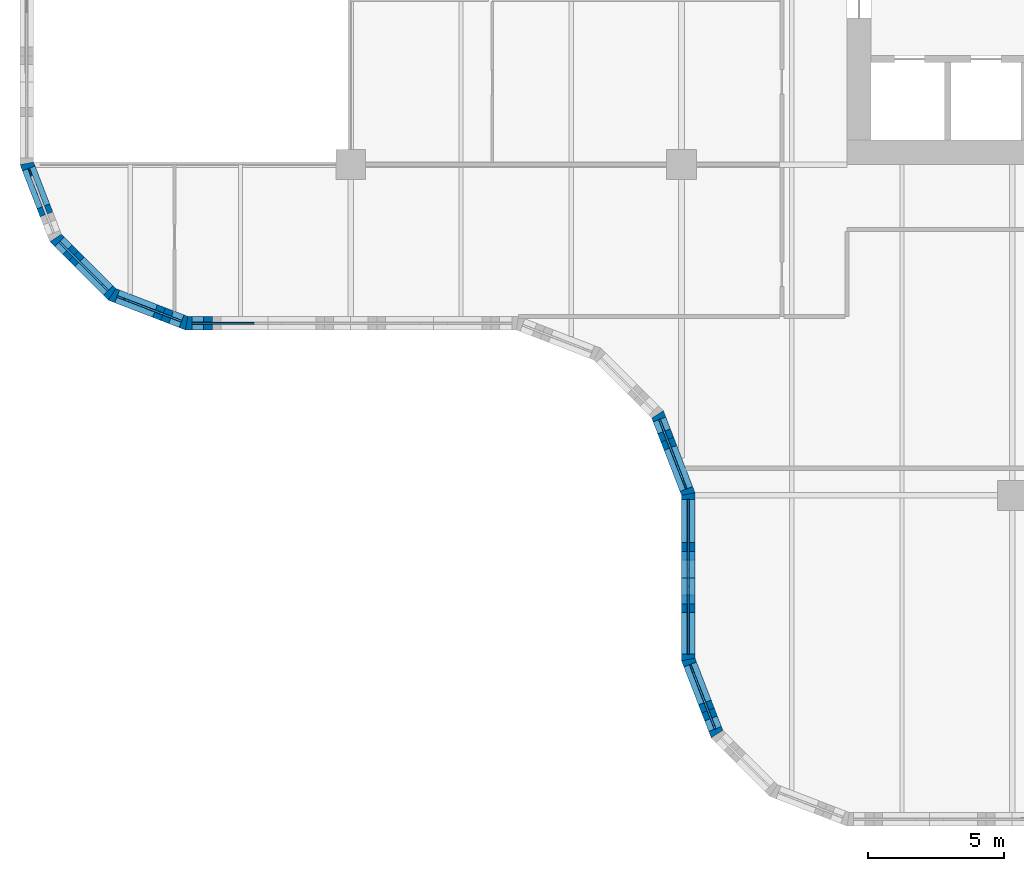
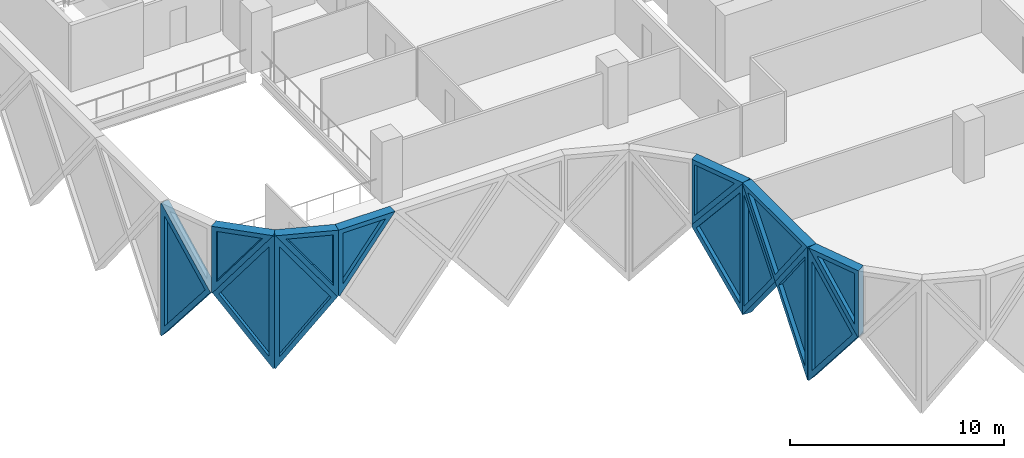
# One storey, part 4 of 24: 13 plates, 13 walls, 13 openings.
"""IFC4 building model written with IfcOpenShell, lengths in metres."""

from ifc_helpers import new_model, si_unit, direction, frame, origin, place, context, subcontext, project, spatial, polyline, outline, extrude, faceted_brep, source, transform, mapped, material, layer, layer_set, type_object, element, fill, save


model = new_model("IFC4")

# Units and contexts
model_context = context("Model", 3, precision=1e-05, world=origin(), true_north=direction((0.0, 1.0)))
body_context = subcontext(model_context, "Body", "Model", "MODEL_VIEW")
ifc_project = project(units=[si_unit("LENGTHUNIT", "METRE"), si_unit("AREAUNIT", "SQUARE_METRE"), si_unit("VOLUMEUNIT", "CUBIC_METRE"), si_unit("PLANEANGLEUNIT", "RADIAN"), si_unit("MASSUNIT", "GRAM", prefix="KILO")], contexts=[model_context])

# Site, building, storey
site_placement = place(None, origin())
site = spatial("IfcSite", under=ifc_project, at=site_placement, CompositionType="ELEMENT")
building_placement = place(site_placement, origin())
building = spatial("IfcBuilding", under=site, at=building_placement, Name="Tessera Gate Towers", CompositionType="ELEMENT")
storey_placement = place(building_placement, frame((0.0, 0.0, 60.0)))
storey = spatial("IfcBuildingStorey", under=building, at=storey_placement, Name="L14", CompositionType="ELEMENT", Elevation=60.0)

# Wall, opening, plate
ifc_material_1 = material(Name="Precast concrete C60/75 white", Category="concrete")
ifc_layer_1 = layer(ifc_material_1, 0.5)
ifc_layer_set_1 = layer_set([ifc_layer_1], Name="TS3 corner tessera")
wall_type_1 = type_object("IfcWallType", Name="TS3 corner tessera", PredefinedType="SOLIDWALL", material=ifc_layer_set_1)
shared_shape_1 = source(origin(), body_context, "Body", "Brep", [
    faceted_brep([(3.00341796875, -0.25, 0.0), (3.050048828125, -0.25, 0.06005859375), (3.050048828125, -0.25, 7.5400390625), (3.00341796875, -0.25, 7.60009765625), (0.0, -0.25, 3.800048828125), (0.0, 0.25, 3.800048828125), (2.956787109375, 0.25, 7.541259765625), (2.956787109375, 0.25, 0.058837890625), (3.00341796875, 0.000244140625, 0.0), (3.00341796875, 0.000244140625, 7.60009765625)], [[[0, 1, 2, 3, 4]], [[5, 6, 7]], [[1, 0, 8]], [[9, 3, 2]], [[6, 5, 4, 3, 9]], [[5, 7, 8, 0, 4]], [[1, 8, 7, 6, 9, 2]]]),
])
wall_1_placement = place(storey_placement, frame((24.64990234375, 9.14990234375, -3.800048828125), z_axis=(0.0, 0.0, 1.0), x_axis=(0.0, -1.0, 0.0)))
wall_1 = element("IfcWall", 1, at=wall_1_placement, inside=storey, type_object=wall_type_1, Name="Precast corner tessera T1 TS3-0309", PredefinedType="SOLIDWALL", context=body_context, shape_type="MappedRepresentation", body=[
    mapped(shared_shape_1, transform((0.0, 0.0, 0.0), scale=1.0)),
])
shared_shape_2 = source(origin(), body_context, "Body", "SweptSolid", [
    extrude(outline(polyline([(2.803466796875, 6.94384765625), (0.318603515625, 3.800048828125), (2.803466796875, 0.65625), (2.803466796875, 6.94384765625)])), frame((0.0, 0.260009765625, 0.0), z_axis=(0.0, -1.0, 0.0), x_axis=(1.0, 0.0, 0.0)), (0.0, 0.0, 1.0), 0.52001953125),
])
opening_1_placement = place(wall_1_placement, origin())
opening_1 = element("IfcOpeningElement", 2, at=opening_1_placement, cuts=wall_1, Name="Opening T1-PL2-0466", PredefinedType="OPENING", context=body_context, shape_type="MappedRepresentation", body=[
    mapped(shared_shape_2, transform((0.0, 0.0, 0.0), scale=1.0)),
])
ifc_material_2 = material(Name="Low-e laminated glass", Category="glass")
ifc_layer_2 = layer(ifc_material_2, 0.06005859375)
ifc_layer_set_2 = layer_set([ifc_layer_2], Name="PL2 rhombic pane")
plate_type_1 = type_object("IfcPlateType", Name="PL2 rhombic pane", PredefinedType="SHEET", material=ifc_layer_set_2)
shared_shape_3 = source(origin(), body_context, "Body", "SweptSolid", [
    extrude(outline(polyline([(2.803466796875, 6.94384765625), (0.318603515625, 3.800048828125), (2.803466796875, 0.65625), (2.803466796875, 6.94384765625)])), frame((0.0, 0.030029296875, 0.0), z_axis=(0.0, -1.0, 0.0), x_axis=(1.0, 0.0, 0.0)), (0.0, 0.0, 1.0), 0.06005859375),
])
plate_1_placement = place(opening_1_placement, origin())
plate_1 = element("IfcPlate", 3, at=plate_1_placement, inside=storey, type_object=plate_type_1, Name="Glass pane T1 PL2-0466", PredefinedType="SHEET", context=body_context, shape_type="MappedRepresentation", body=[
    mapped(shared_shape_3, transform((0.0, 0.0, 0.0), scale=1.0)),
])
fill(opening_1, plate_1)

shared_shape_4 = source(origin(), body_context, "Body", "Brep", [
    faceted_brep([(0.046630859375, -0.25, 0.0), (2.9970703125, -0.25, 3.800048828125), (0.046630859375, -0.25, 7.60009765625), (0.0, -0.25, 7.541259765625), (0.0, -0.25, 0.058837890625), (0.09326171875, 0.25, 7.5400390625), (2.9443359375, 0.25, 3.8681640625), (2.9443359375, 0.25, 3.73193359375), (0.09326171875, 0.25, 0.06005859375), (2.9970703125, 0.00048828125, 3.800048828125), (0.046630859375, 0.0, 0.0), (0.046630859375, 0.0, 7.60009765625)], [[[0, 1, 2, 3, 4]], [[5, 6, 7, 8]], [[8, 7, 9, 1, 0, 10]], [[6, 5, 11, 2, 1, 9]], [[3, 2, 11]], [[10, 0, 4]], [[8, 10, 4, 3, 11, 5]], [[9, 7, 6]]]),
])
wall_2_placement = place(storey_placement, frame((0.233154296875, 24.489990234375, -3.800048828125), z_axis=(0.0, 0.0, 1.0), x_axis=(0.359901446078, -0.932990326376, 0.0)))
wall_2 = element("IfcWall", 4, at=wall_2_placement, inside=storey, type_object=wall_type_1, Name="Precast corner tessera T1 TS3-0302", PredefinedType="SOLIDWALL", context=body_context, shape_type="MappedRepresentation", body=[
    mapped(shared_shape_4, transform((0.0, 0.0, 0.0), scale=1.0)),
])
shared_shape_5 = source(origin(), body_context, "Body", "SweptSolid", [
    extrude(outline(polyline([(0.24658203125, 0.665283203125), (2.6806640625, 3.800048828125), (0.24658203125, 6.934814453125), (0.24658203125, 0.665283203125)])), frame((0.0, 0.260009765625, 0.0), z_axis=(0.0, -1.0, 0.0), x_axis=(1.0, 0.0, 0.0)), (0.0, 0.0, 1.0), 0.52001953125),
])
opening_2_placement = place(wall_2_placement, origin())
opening_2 = element("IfcOpeningElement", 5, at=opening_2_placement, cuts=wall_2, Name="Opening T1-PL2-0457", PredefinedType="OPENING", context=body_context, shape_type="MappedRepresentation", body=[
    mapped(shared_shape_5, transform((0.0, 0.0, 0.0), scale=1.0)),
])
shared_shape_6 = source(origin(), body_context, "Body", "SweptSolid", [
    extrude(outline(polyline([(0.24658203125, 0.665283203125), (2.6806640625, 3.800048828125), (0.24658203125, 6.934814453125), (0.24658203125, 0.665283203125)])), frame((0.0, 0.030029296875, 0.0), z_axis=(0.0, -1.0, 0.0), x_axis=(1.0, 0.0, 0.0)), (0.0, 0.0, 1.0), 0.06005859375),
])
plate_2_placement = place(opening_2_placement, origin())
plate_2 = element("IfcPlate", 6, at=plate_2_placement, inside=storey, type_object=plate_type_1, Name="Glass pane T1 PL2-0457", PredefinedType="SHEET", context=body_context, shape_type="MappedRepresentation", body=[
    mapped(shared_shape_6, transform((0.0, 0.0, 0.0), scale=1.0)),
])
fill(opening_2, plate_2)

wall_3_placement = place(storey_placement, frame((24.63330078125, 6.18994140625, -3.800048828125), z_axis=(0.0, 0.0, 1.0), x_axis=(0.359901446078, -0.932990326376, 0.0)))
wall_3 = element("IfcWall", 7, at=wall_3_placement, inside=storey, type_object=wall_type_1, Name="Precast corner tessera T1 TS3-0310", PredefinedType="SOLIDWALL", context=body_context, shape_type="MappedRepresentation", body=[
    mapped(shared_shape_4, transform((0.0, 0.0, 0.0), scale=1.0)),
])
opening_3_placement = place(wall_3_placement, origin())
opening_3 = element("IfcOpeningElement", 8, at=opening_3_placement, cuts=wall_3, Name="Opening T1-PL2-0467", PredefinedType="OPENING", context=body_context, shape_type="MappedRepresentation", body=[
    mapped(shared_shape_5, transform((0.0, 0.0, 0.0), scale=1.0)),
])
plate_3_placement = place(opening_3_placement, origin())
plate_3 = element("IfcPlate", 9, at=plate_3_placement, inside=storey, type_object=plate_type_1, Name="Glass pane T1 PL2-0467", PredefinedType="SHEET", context=body_context, shape_type="MappedRepresentation", body=[
    mapped(shared_shape_6, transform((0.0, 0.0, 0.0), scale=1.0)),
])
fill(opening_3, plate_3)

shared_shape_7 = source(origin(), body_context, "Body", "Brep", [
    faceted_brep([(0.052978515625, -0.25, 0.0), (3.00341796875, -0.25, 3.800048828125), (0.052978515625, -0.25, 7.60009765625), (0.0, -0.25, 7.53173828125), (0.0, -0.25, 0.068359375), (0.10595703125, 0.25, 7.531982421875), (2.95703125, 0.25, 3.85986328125), (2.95703125, 0.25, 3.740234375), (0.10595703125, 0.25, 0.068115234375), (3.00341796875, 0.00048828125, 3.800048828125), (0.052978515625, 0.0, 0.0), (0.052978515625, 0.0, 7.60009765625)], [[[0, 1, 2, 3, 4]], [[5, 6, 7, 8]], [[8, 7, 9, 1, 0, 10]], [[6, 5, 11, 2, 1, 9]], [[3, 2, 11]], [[10, 0, 4]], [[8, 10, 4, 3, 11, 5]], [[9, 7, 6]]]),
])
wall_4_placement = place(storey_placement, frame((3.34423828125, 19.630859375, -3.800048828125), z_axis=(0.0, 0.0, 1.0), x_axis=(0.933007896601, -0.359855894603, 0.0)))
wall_4 = element("IfcWall", 10, at=wall_4_placement, inside=storey, type_object=wall_type_1, Name="Precast corner tessera T1 TS3-0304", PredefinedType="SOLIDWALL", context=body_context, shape_type="MappedRepresentation", body=[
    mapped(shared_shape_7, transform((0.0, 0.0, 0.0), scale=1.0)),
])
shared_shape_8 = source(origin(), body_context, "Body", "SweptSolid", [
    extrude(outline(polyline([(0.2529296875, 0.665283203125), (2.68701171875, 3.800048828125), (0.2529296875, 6.934814453125), (0.2529296875, 0.665283203125)])), frame((0.0, 0.260009765625, 0.0), z_axis=(0.0, -1.0, 0.0), x_axis=(1.0, 0.0, 0.0)), (0.0, 0.0, 1.0), 0.52001953125),
])
opening_4_placement = place(wall_4_placement, origin())
opening_4 = element("IfcOpeningElement", 11, at=opening_4_placement, cuts=wall_4, Name="Opening T1-PL2-0459", PredefinedType="OPENING", context=body_context, shape_type="MappedRepresentation", body=[
    mapped(shared_shape_8, transform((0.0, 0.0, 0.0), scale=1.0)),
])
shared_shape_9 = source(origin(), body_context, "Body", "SweptSolid", [
    extrude(outline(polyline([(0.2529296875, 0.665283203125), (2.68701171875, 3.800048828125), (0.2529296875, 6.934814453125), (0.2529296875, 0.665283203125)])), frame((0.0, 0.030029296875, 0.0), z_axis=(0.0, -1.0, 0.0), x_axis=(1.0, 0.0, 0.0)), (0.0, 0.0, 1.0), 0.06005859375),
])
plate_4_placement = place(opening_4_placement, origin())
plate_4 = element("IfcPlate", 12, at=plate_4_placement, inside=storey, type_object=plate_type_1, Name="Glass pane T1 PL2-0459", PredefinedType="SHEET", context=body_context, shape_type="MappedRepresentation", body=[
    mapped(shared_shape_9, transform((0.0, 0.0, 0.0), scale=1.0)),
])
fill(opening_4, plate_4)

shared_shape_10 = source(origin(), body_context, "Body", "Brep", [
    faceted_brep([(2.944091796875, -0.25, 0.0), (2.9970703125, -0.25, 0.068115234375), (2.9970703125, -0.25, 7.531982421875), (2.944091796875, -0.25, 7.60009765625), (0.0, -0.25, 3.800048828125), (0.052978515625, 0.25, 3.868408203125), (2.89111328125, 0.25, 7.531982421875), (2.89111328125, 0.25, 0.068115234375), (0.052978515625, 0.25, 3.731689453125), (2.944091796875, 0.000244140625, 0.0), (2.944091796875, 0.000244140625, 7.60009765625), (0.0, 0.0, 3.800048828125)], [[[0, 1, 2, 3, 4]], [[5, 6, 7, 8]], [[1, 0, 9]], [[10, 3, 2]], [[6, 5, 11, 4, 3, 10]], [[8, 7, 9, 0, 4, 11]], [[8, 11, 5]], [[1, 9, 7, 6, 10, 2]]]),
])
wall_5_placement = place(storey_placement, frame((1.31201171875, 21.69384765625, -3.800048828125), z_axis=(0.0, 0.0, 1.0), x_axis=(0.707066050402, -0.707147509625, 0.0)))
wall_5 = element("IfcWall", 13, at=wall_5_placement, inside=storey, type_object=wall_type_1, Name="Precast corner tessera T1 TS3-0303", PredefinedType="SOLIDWALL", context=body_context, shape_type="MappedRepresentation", body=[
    mapped(shared_shape_10, transform((0.0, 0.0, 0.0), scale=1.0)),
])
shared_shape_11 = source(origin(), body_context, "Body", "SweptSolid", [
    extrude(outline(polyline([(2.744140625, 6.933837890625), (0.316162109375, 3.800048828125), (2.744140625, 0.666259765625), (2.744140625, 6.933837890625)])), frame((0.0, 0.260009765625, 0.0), z_axis=(0.0, -1.0, 0.0), x_axis=(1.0, 0.0, 0.0)), (0.0, 0.0, 1.0), 0.52001953125),
])
opening_5_placement = place(wall_5_placement, origin())
opening_5 = element("IfcOpeningElement", 14, at=opening_5_placement, cuts=wall_5, Name="Opening T1-PL2-0458", PredefinedType="OPENING", context=body_context, shape_type="MappedRepresentation", body=[
    mapped(shared_shape_11, transform((0.0, 0.0, 0.0), scale=1.0)),
])
shared_shape_12 = source(origin(), body_context, "Body", "SweptSolid", [
    extrude(outline(polyline([(2.744140625, 6.933837890625), (0.316162109375, 3.800048828125), (2.744140625, 0.666259765625), (2.744140625, 6.933837890625)])), frame((0.0, 0.030029296875, 0.0), z_axis=(0.0, -1.0, 0.0), x_axis=(1.0, 0.0, 0.0)), (0.0, 0.0, 1.0), 0.06005859375),
])
plate_5_placement = place(opening_5_placement, origin())
plate_5 = element("IfcPlate", 15, at=plate_5_placement, inside=storey, type_object=plate_type_1, Name="Glass pane T1 PL2-0458", PredefinedType="SHEET", context=body_context, shape_type="MappedRepresentation", body=[
    mapped(shared_shape_12, transform((0.0, 0.0, 0.0), scale=1.0)),
])
fill(opening_5, plate_5)

shared_shape_13 = source(origin(), body_context, "Body", "Brep", [
    faceted_brep([(3.10302734375, -0.25, 7.5439453125), (0.052978515625, -0.25, 3.864013671875), (0.052978515625, -0.25, 3.736083984375), (3.10302734375, -0.25, 0.05615234375), (0.0, 0.25, 3.800048828125), (3.1494140625, 0.25, 7.60009765625), (3.196044921875, 0.25, 7.54296875), (3.196044921875, 0.25, 0.05712890625), (3.1494140625, 0.25, 0.0), (3.1494140625, -0.000244140625, 0.0), (3.1494140625, -0.000244140625, 7.60009765625), (0.0, 0.0, 3.800048828125)], [[[0, 1, 2, 3]], [[4, 5, 6, 7, 8]], [[8, 7, 9]], [[6, 5, 10]], [[5, 4, 11, 1, 0, 10]], [[4, 8, 9, 3, 2, 11]], [[11, 2, 1]], [[3, 9, 7, 6, 10, 0]]]),
])
wall_6_placement = place(storey_placement, frame((23.5166015625, 15.18505859375, -3.800048828125), z_axis=(0.0, 0.0, 1.0), x_axis=(0.359864468756, -0.933004589553, 0.0)))
wall_6 = element("IfcWall", 16, at=wall_6_placement, inside=storey, type_object=wall_type_1, Name="Precast corner tessera T1 TS3-0307", PredefinedType="SOLIDWALL", context=body_context, shape_type="MappedRepresentation", body=[
    mapped(shared_shape_13, transform((0.0, 0.0, 0.0), scale=1.0)),
])
shared_shape_14 = source(origin(), body_context, "Body", "SweptSolid", [
    extrude(outline(polyline([(2.949462890625, 6.967041015625), (0.32470703125, 3.800048828125), (2.949462890625, 0.633056640625), (2.949462890625, 6.967041015625)])), frame((0.0, 0.260009765625, 0.0), z_axis=(0.0, -1.0, 0.0), x_axis=(1.0, 0.0, 0.0)), (0.0, 0.0, 1.0), 0.52001953125),
])
opening_6_placement = place(wall_6_placement, origin())
opening_6 = element("IfcOpeningElement", 17, at=opening_6_placement, cuts=wall_6, Name="Opening T1-PL2-0464", PredefinedType="OPENING", context=body_context, shape_type="MappedRepresentation", body=[
    mapped(shared_shape_14, transform((0.0, 0.0, 0.0), scale=1.0)),
])
shared_shape_15 = source(origin(), body_context, "Body", "SweptSolid", [
    extrude(outline(polyline([(2.949462890625, 6.967041015625), (0.32470703125, 3.800048828125), (2.949462890625, 0.633056640625), (2.949462890625, 6.967041015625)])), frame((0.0, 0.030029296875, 0.0), z_axis=(0.0, -1.0, 0.0), x_axis=(1.0, 0.0, 0.0)), (0.0, 0.0, 1.0), 0.06005859375),
])
plate_6_placement = place(opening_6_placement, origin())
plate_6 = element("IfcPlate", 18, at=plate_6_placement, inside=storey, type_object=plate_type_1, Name="Glass pane T1 PL2-0464", PredefinedType="SHEET", context=body_context, shape_type="MappedRepresentation", body=[
    mapped(shared_shape_15, transform((0.0, 0.0, 0.0), scale=1.0)),
])
fill(opening_6, plate_6)

shared_shape_16 = source(origin(), body_context, "Body", "Brep", [
    faceted_brep([(0.09326171875, -0.25, 0.05712890625), (3.14306640625, -0.25, 3.800048828125), (0.09326171875, -0.25, 7.54296875), (0.0, 0.25, 7.5439453125), (0.046630859375, 0.25, 7.60009765625), (3.14306640625, 0.25, 3.800048828125), (0.046630859375, 0.25, 0.0), (0.0, 0.25, 0.05615234375), (0.046630859375, 0.0, 0.0), (0.046630859375, 0.0, 7.60009765625)], [[[0, 1, 2]], [[3, 4, 5, 6, 7]], [[6, 5, 1, 0, 8]], [[5, 4, 9, 2, 1]], [[4, 3, 9]], [[7, 6, 8]], [[7, 8, 0, 2, 9, 3]]]),
])
wall_7_placement = place(storey_placement, frame((24.64990234375, 12.293212890625, -3.800048828125), z_axis=(0.0, 0.0, 1.0), x_axis=(0.0, -1.0, 0.0)))
wall_7 = element("IfcWall", 19, at=wall_7_placement, inside=storey, type_object=wall_type_1, Name="Precast corner tessera T1 TS3-0308", PredefinedType="SOLIDWALL", context=body_context, shape_type="MappedRepresentation", body=[
    mapped(shared_shape_16, transform((0.0, 0.0, 0.0), scale=1.0)),
])
shared_shape_17 = source(origin(), body_context, "Body", "SweptSolid", [
    extrude(outline(polyline([(0.24658203125, 0.641357421875), (2.82080078125, 3.800048828125), (0.24658203125, 6.958740234375), (0.24658203125, 0.641357421875)])), frame((0.0, 0.260009765625, 0.0), z_axis=(0.0, -1.0, 0.0), x_axis=(1.0, 0.0, 0.0)), (0.0, 0.0, 1.0), 0.52001953125),
])
opening_7_placement = place(wall_7_placement, origin())
opening_7 = element("IfcOpeningElement", 20, at=opening_7_placement, cuts=wall_7, Name="Opening T1-PL2-0465", PredefinedType="OPENING", context=body_context, shape_type="MappedRepresentation", body=[
    mapped(shared_shape_17, transform((0.0, 0.0, 0.0), scale=1.0)),
])
shared_shape_18 = source(origin(), body_context, "Body", "SweptSolid", [
    extrude(outline(polyline([(0.24658203125, 0.641357421875), (2.82080078125, 3.800048828125), (0.24658203125, 6.958740234375), (0.24658203125, 0.641357421875)])), frame((0.0, 0.030029296875, 0.0), z_axis=(0.0, -1.0, 0.0), x_axis=(1.0, 0.0, 0.0)), (0.0, 0.0, 1.0), 0.06005859375),
])
plate_7_placement = place(opening_7_placement, origin())
plate_7 = element("IfcPlate", 21, at=plate_7_placement, inside=storey, type_object=plate_type_1, Name="Glass pane T1 PL2-0465", PredefinedType="SHEET", context=body_context, shape_type="MappedRepresentation", body=[
    mapped(shared_shape_18, transform((0.0, 0.0, 0.0), scale=1.0)),
])
fill(opening_7, plate_7)

shared_shape_19 = source(origin(), body_context, "Body", "Brep", [
    faceted_brep([(0.046630859375, -0.25, 0.0), (3.050048828125, -0.25, 3.800048828125), (0.0, -0.25, 3.800048828125), (0.0, -0.25, 0.06005859375), (0.09326171875, 0.25, 3.800048828125), (3.050048828125, 0.25, 3.800048828125), (0.09326171875, 0.25, 0.058837890625), (0.046630859375, 0.0, 0.0)], [[[0, 1, 2, 3]], [[4, 5, 6]], [[6, 5, 1, 0, 7]], [[5, 4, 2, 1]], [[7, 0, 3]], [[6, 7, 3, 2, 4]]]),
])
wall_8_placement = place(storey_placement, frame((6.099853515625, 18.550048828125, 0.0), z_axis=(0.0, 0.0, 1.0), x_axis=(1.0, 0.0, 0.0)))
wall_8 = element("IfcWall", 22, at=wall_8_placement, inside=storey, type_object=wall_type_1, Name="Precast corner tessera T1 TS3-0330", PredefinedType="SOLIDWALL", context=body_context, shape_type="MappedRepresentation", body=[
    mapped(shared_shape_19, transform((0.0, 0.0, 0.0), scale=1.0)),
])
shared_shape_20 = source(origin(), body_context, "Body", "SweptSolid", [
    extrude(outline(polyline([(0.24658203125, 0.65625), (2.533935546875, 3.550048828125), (0.24658203125, 3.550048828125), (0.24658203125, 0.65625)])), frame((0.0, 0.260009765625, 0.0), z_axis=(0.0, -1.0, 0.0), x_axis=(1.0, 0.0, 0.0)), (0.0, 0.0, 1.0), 0.52001953125),
])
opening_8_placement = place(wall_8_placement, origin())
opening_8 = element("IfcOpeningElement", 23, at=opening_8_placement, cuts=wall_8, Name="Opening T1-PL1-0179", PredefinedType="OPENING", context=body_context, shape_type="MappedRepresentation", body=[
    mapped(shared_shape_20, transform((0.0, 0.0, 0.0), scale=1.0)),
])
ifc_material_3 = material(Name="Low-e laminated glass", Category="glass")
ifc_layer_3 = layer(ifc_material_3, 0.06005859375)
ifc_layer_set_3 = layer_set([ifc_layer_3], Name="PL1 triangular pane")
plate_type_2 = type_object("IfcPlateType", Name="PL1 triangular pane", PredefinedType="SHEET", material=ifc_layer_set_3)
shared_shape_21 = source(origin(), body_context, "Body", "SweptSolid", [
    extrude(outline(polyline([(0.24658203125, 0.65625), (2.533935546875, 3.550048828125), (0.24658203125, 3.550048828125), (0.24658203125, 0.65625)])), frame((0.0, 0.030029296875, 0.0), z_axis=(0.0, -1.0, 0.0), x_axis=(1.0, 0.0, 0.0)), (0.0, 0.0, 1.0), 0.06005859375),
])
plate_8_placement = place(opening_8_placement, origin())
plate_8 = element("IfcPlate", 24, at=plate_8_placement, inside=storey, type_object=plate_type_2, Name="Glass pane T1 PL1-0179", PredefinedType="SHEET", context=body_context, shape_type="MappedRepresentation", body=[
    mapped(shared_shape_21, transform((0.0, 0.0, 0.0), scale=1.0)),
])
fill(opening_8, plate_8)

shared_shape_22 = source(origin(), body_context, "Body", "Brep", [
    faceted_brep([(2.950439453125, -0.25, 0.0), (2.9970703125, -0.25, 0.05908203125), (2.9970703125, -0.25, 3.800048828125), (0.0, -0.25, 3.800048828125), (0.052978515625, 0.25, 3.800048828125), (2.904052734375, 0.25, 3.800048828125), (2.904052734375, 0.25, 0.059814453125), (0.052978515625, 0.25, 3.73193359375), (2.950439453125, 0.00048828125, 0.0), (0.0, 0.0, 3.800048828125)], [[[0, 1, 2, 3]], [[4, 5, 6, 7]], [[1, 0, 8]], [[5, 4, 9, 3, 2]], [[7, 6, 8, 0, 3, 9]], [[7, 9, 4]], [[1, 8, 6, 5, 2]]]),
])
wall_9_placement = place(storey_placement, frame((3.393798828125, 19.61181640625, 0.0), z_axis=(0.0, 0.0, 1.0), x_axis=(0.932990326376, -0.359901446078, 0.0)))
wall_9 = element("IfcWall", 25, at=wall_9_placement, inside=storey, type_object=wall_type_1, Name="Precast corner tessera T1 TS3-0329", PredefinedType="SOLIDWALL", context=body_context, shape_type="MappedRepresentation", body=[
    mapped(shared_shape_22, transform((0.0, 0.0, 0.0), scale=1.0)),
])
shared_shape_23 = source(origin(), body_context, "Body", "SweptSolid", [
    extrude(outline(polyline([(2.75048828125, 3.550048828125), (0.5107421875, 3.550048828125), (2.75048828125, 0.665283203125), (2.75048828125, 3.550048828125)])), frame((0.0, 0.260009765625, 0.0), z_axis=(0.0, -1.0, 0.0), x_axis=(1.0, 0.0, 0.0)), (0.0, 0.0, 1.0), 0.52001953125),
])
opening_9_placement = place(wall_9_placement, origin())
opening_9 = element("IfcOpeningElement", 26, at=opening_9_placement, cuts=wall_9, Name="Opening T1-PL1-0178", PredefinedType="OPENING", context=body_context, shape_type="MappedRepresentation", body=[
    mapped(shared_shape_23, transform((0.0, 0.0, 0.0), scale=1.0)),
])
shared_shape_24 = source(origin(), body_context, "Body", "SweptSolid", [
    extrude(outline(polyline([(2.75048828125, 3.550048828125), (0.5107421875, 3.550048828125), (2.75048828125, 0.665283203125), (2.75048828125, 3.550048828125)])), frame((0.0, 0.030029296875, 0.0), z_axis=(0.0, -1.0, 0.0), x_axis=(1.0, 0.0, 0.0)), (0.0, 0.0, 1.0), 0.06005859375),
])
plate_9_placement = place(opening_9_placement, origin())
plate_9 = element("IfcPlate", 27, at=plate_9_placement, inside=storey, type_object=plate_type_2, Name="Glass pane T1 PL1-0178", PredefinedType="SHEET", context=body_context, shape_type="MappedRepresentation", body=[
    mapped(shared_shape_24, transform((0.0, 0.0, 0.0), scale=1.0)),
])
fill(opening_9, plate_9)

shared_shape_25 = source(origin(), body_context, "Body", "Brep", [
    faceted_brep([(0.052978515625, -0.25, 0.0), (2.9970703125, -0.25, 3.800048828125), (0.0, -0.25, 3.800048828125), (0.0, -0.25, 0.068115234375), (0.10595703125, 0.25, 3.800048828125), (2.944091796875, 0.25, 3.800048828125), (2.944091796875, 0.25, 3.73193359375), (0.10595703125, 0.25, 0.068359375), (2.9970703125, 0.000244140625, 3.800048828125), (0.052978515625, 0.0, 0.0)], [[[0, 1, 2, 3]], [[4, 5, 6, 7]], [[7, 6, 8, 1, 0, 9]], [[5, 4, 2, 1, 8]], [[9, 0, 3]], [[7, 9, 3, 2, 4]], [[6, 5, 8]]]),
])
wall_10_placement = place(storey_placement, frame((1.2744140625, 21.731201171875, 0.0), z_axis=(0.0, 0.0, 1.0), x_axis=(0.707147509625, -0.707066050402, 0.0)))
wall_10 = element("IfcWall", 28, at=wall_10_placement, inside=storey, type_object=wall_type_1, Name="Precast corner tessera T1 TS3-0328", PredefinedType="SOLIDWALL", context=body_context, shape_type="MappedRepresentation", body=[
    mapped(shared_shape_25, transform((0.0, 0.0, 0.0), scale=1.0)),
])
shared_shape_26 = source(origin(), body_context, "Body", "SweptSolid", [
    extrude(outline(polyline([(0.2529296875, 0.666259765625), (2.487060546875, 3.550048828125), (0.2529296875, 3.550048828125), (0.2529296875, 0.666259765625)])), frame((0.0, 0.260009765625, 0.0), z_axis=(0.0, -1.0, 0.0), x_axis=(1.0, 0.0, 0.0)), (0.0, 0.0, 1.0), 0.52001953125),
])
opening_10_placement = place(wall_10_placement, origin())
opening_10 = element("IfcOpeningElement", 29, at=opening_10_placement, cuts=wall_10, Name="Opening T1-PL1-0177", PredefinedType="OPENING", context=body_context, shape_type="MappedRepresentation", body=[
    mapped(shared_shape_26, transform((0.0, 0.0, 0.0), scale=1.0)),
])
shared_shape_27 = source(origin(), body_context, "Body", "SweptSolid", [
    extrude(outline(polyline([(0.2529296875, 0.666259765625), (2.487060546875, 3.550048828125), (0.2529296875, 3.550048828125), (0.2529296875, 0.666259765625)])), frame((0.0, 0.030029296875, 0.0), z_axis=(0.0, -1.0, 0.0), x_axis=(1.0, 0.0, 0.0)), (0.0, 0.0, 1.0), 0.06005859375),
])
plate_10_placement = place(opening_10_placement, origin())
plate_10 = element("IfcPlate", 30, at=plate_10_placement, inside=storey, type_object=plate_type_2, Name="Glass pane T1 PL1-0177", PredefinedType="SHEET", context=body_context, shape_type="MappedRepresentation", body=[
    mapped(shared_shape_27, transform((0.0, 0.0, 0.0), scale=1.0)),
])
fill(opening_10, plate_10)

shared_shape_28 = source(origin(), body_context, "Body", "Brep", [
    faceted_brep([(0.10595703125, -0.25, 0.06396484375), (3.156005859375, -0.25, 3.743896484375), (3.156005859375, -0.25, 3.800048828125), (0.10595703125, -0.25, 3.800048828125), (0.0, 0.25, 3.800048828125), (3.202392578125, 0.25, 3.800048828125), (0.052978515625, 0.25, 0.0), (0.0, 0.25, 0.063720703125), (3.202392578125, -0.000244140625, 3.800048828125), (0.052978515625, 0.0, 0.0)], [[[0, 1, 2, 3]], [[4, 5, 6, 7]], [[6, 5, 8, 1, 0, 9]], [[5, 4, 3, 2, 8]], [[7, 6, 9]], [[7, 9, 0, 3, 4]], [[1, 8, 2]]]),
])
wall_11_placement = place(storey_placement, frame((23.497314453125, 15.234375, 0.0), z_axis=(0.0, 0.0, 1.0), x_axis=(0.359913782069, -0.932985567668, 0.0)))
wall_11 = element("IfcWall", 31, at=wall_11_placement, inside=storey, type_object=wall_type_1, Name="Precast corner tessera T1 TS3-0334", PredefinedType="SOLIDWALL", context=body_context, shape_type="MappedRepresentation", body=[
    mapped(shared_shape_28, transform((0.0, 0.0, 0.0), scale=1.0)),
])
shared_shape_29 = source(origin(), body_context, "Body", "SweptSolid", [
    extrude(outline(polyline([(0.2529296875, 0.633056640625), (2.670654296875, 3.550048828125), (0.2529296875, 3.550048828125), (0.2529296875, 0.633056640625)])), frame((0.0, 0.260009765625, 0.0), z_axis=(0.0, -1.0, 0.0), x_axis=(1.0, 0.0, 0.0)), (0.0, 0.0, 1.0), 0.52001953125),
])
opening_11_placement = place(wall_11_placement, origin())
opening_11 = element("IfcOpeningElement", 32, at=opening_11_placement, cuts=wall_11, Name="Opening T1-PL1-0184", PredefinedType="OPENING", context=body_context, shape_type="MappedRepresentation", body=[
    mapped(shared_shape_29, transform((0.0, 0.0, 0.0), scale=1.0)),
])
shared_shape_30 = source(origin(), body_context, "Body", "SweptSolid", [
    extrude(outline(polyline([(0.2529296875, 0.633056640625), (2.670654296875, 3.550048828125), (0.2529296875, 3.550048828125), (0.2529296875, 0.633056640625)])), frame((0.0, 0.030029296875, 0.0), z_axis=(0.0, -1.0, 0.0), x_axis=(1.0, 0.0, 0.0)), (0.0, 0.0, 1.0), 0.06005859375),
])
plate_11_placement = place(opening_11_placement, origin())
plate_11 = element("IfcPlate", 33, at=plate_11_placement, inside=storey, type_object=plate_type_2, Name="Glass pane T1 PL1-0184", PredefinedType="SHEET", context=body_context, shape_type="MappedRepresentation", body=[
    mapped(shared_shape_30, transform((0.0, 0.0, 0.0), scale=1.0)),
])
fill(opening_11, plate_11)

ifc_material_4 = material(Name="Precast concrete C60/75 white", Category="concrete")
ifc_layer_4 = layer(ifc_material_4, 0.5)
ifc_layer_set_4 = layer_set([ifc_layer_4], Name="TS2 half tessera")
wall_type_2 = type_object("IfcWallType", Name="TS2 half tessera", PredefinedType="SOLIDWALL", material=ifc_layer_set_4)
shared_shape_31 = source(origin(), body_context, "Body", "Brep", [
    faceted_brep([(3.096435546875, -0.25, 0.0), (6.10009765625, -0.25, 3.800048828125), (0.046630859375, -0.25, 3.800048828125), (0.046630859375, -0.25, 3.742919921875), (0.0, 0.25, 3.800048828125), (6.053466796875, 0.25, 3.800048828125), (6.053466796875, 0.25, 3.740966796875), (3.096435546875, 0.25, 0.0), (6.10009765625, -0.00048828125, 3.800048828125), (0.0, 0.0, 3.800048828125)], [[[0, 1, 2, 3]], [[4, 5, 6, 7]], [[7, 6, 8, 1, 0]], [[5, 4, 9, 2, 1, 8]], [[4, 7, 0, 3, 9]], [[3, 2, 9]], [[6, 5, 8]]]),
])
wall_12_placement = place(storey_placement, frame((24.64990234375, 12.24658203125, 0.0), z_axis=(0.0, 0.0, 1.0), x_axis=(0.0, -1.0, 0.0)))
wall_12 = element("IfcWall", 34, at=wall_12_placement, inside=storey, type_object=wall_type_2, Name="Precast half tessera T1 TS2-0091", PredefinedType="SOLIDWALL", context=body_context, shape_type="MappedRepresentation", body=[
    mapped(shared_shape_31, transform((0.0, 0.0, 0.0), scale=1.0)),
])
shared_shape_32 = source(origin(), body_context, "Body", "SweptSolid", [
    extrude(outline(polyline([(3.093505859375, 0.3994140625), (5.583740234375, 3.550048828125), (0.526123046875, 3.550048828125), (3.093505859375, 0.3994140625)])), frame((0.0, 0.260009765625, 0.0), z_axis=(0.0, -1.0, 0.0), x_axis=(1.0, 0.0, 0.0)), (0.0, 0.0, 1.0), 0.52001953125),
])
opening_12_placement = place(wall_12_placement, origin())
opening_12 = element("IfcOpeningElement", 35, at=opening_12_placement, cuts=wall_12, Name="Opening T1-PL1-0185", PredefinedType="OPENING", context=body_context, shape_type="MappedRepresentation", body=[
    mapped(shared_shape_32, transform((0.0, 0.0, 0.0), scale=1.0)),
])
shared_shape_33 = source(origin(), body_context, "Body", "SweptSolid", [
    extrude(outline(polyline([(3.093505859375, 0.3994140625), (5.583740234375, 3.550048828125), (0.526123046875, 3.550048828125), (3.093505859375, 0.3994140625)])), frame((0.0, 0.030029296875, 0.0), z_axis=(0.0, -1.0, 0.0), x_axis=(1.0, 0.0, 0.0)), (0.0, 0.0, 1.0), 0.06005859375),
])
plate_12_placement = place(opening_12_placement, origin())
plate_12 = element("IfcPlate", 36, at=plate_12_placement, inside=storey, type_object=plate_type_2, Name="Glass pane T1 PL1-0185", PredefinedType="SHEET", context=body_context, shape_type="MappedRepresentation", body=[
    mapped(shared_shape_33, transform((0.0, 0.0, 0.0), scale=1.0)),
])
fill(opening_12, plate_12)

shared_shape_34 = source(origin(), body_context, "Body", "Brep", [
    faceted_brep([(2.950439453125, -0.25, 0.0), (3.00341796875, -0.25, 0.068359375), (3.00341796875, -0.25, 3.800048828125), (0.0, -0.25, 3.800048828125), (0.046630859375, 0.25, 3.800048828125), (2.897705078125, 0.25, 3.800048828125), (2.897705078125, 0.25, 0.068115234375), (0.046630859375, 0.25, 3.739990234375), (2.950439453125, 0.00048828125, 0.0), (0.0, 0.0, 3.800048828125)], [[[0, 1, 2, 3]], [[4, 5, 6, 7]], [[1, 0, 8]], [[5, 4, 9, 3, 2]], [[7, 6, 8, 0, 3, 9]], [[7, 9, 4]], [[1, 8, 6, 5, 2]]]),
])
wall_13_placement = place(storey_placement, frame((24.64990234375, 6.146484375, 0.0), z_axis=(0.0, 0.0, 1.0), x_axis=(0.359953949349, -0.932970071518, 0.0)))
wall_13 = element("IfcWall", 37, at=wall_13_placement, inside=storey, type_object=wall_type_1, Name="Precast corner tessera T1 TS3-0335", PredefinedType="SOLIDWALL", context=body_context, shape_type="MappedRepresentation", body=[
    mapped(shared_shape_34, transform((0.0, 0.0, 0.0), scale=1.0)),
])
opening_13_placement = place(wall_13_placement, origin())
opening_13 = element("IfcOpeningElement", 38, at=opening_13_placement, cuts=wall_13, Name="Opening T1-PL1-0186", PredefinedType="OPENING", context=body_context, shape_type="MappedRepresentation", body=[
    mapped(shared_shape_23, transform((0.0, 0.0, 0.0), scale=1.0)),
])
plate_13_placement = place(opening_13_placement, origin())
plate_13 = element("IfcPlate", 39, at=plate_13_placement, inside=storey, type_object=plate_type_2, Name="Glass pane T1 PL1-0186", PredefinedType="SHEET", context=body_context, shape_type="MappedRepresentation", body=[
    mapped(shared_shape_24, transform((0.0, 0.0, 0.0), scale=1.0)),
])
fill(opening_13, plate_13)

save(model, "model.ifc")
